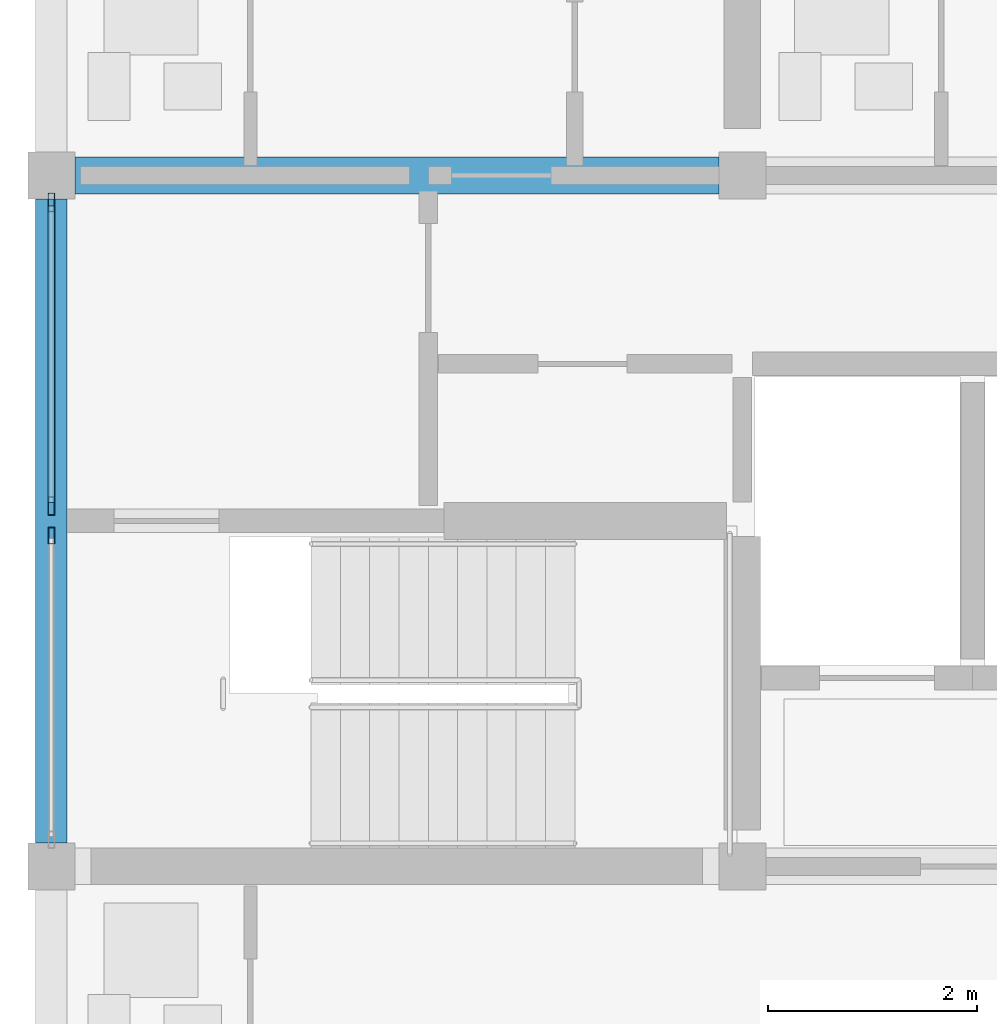
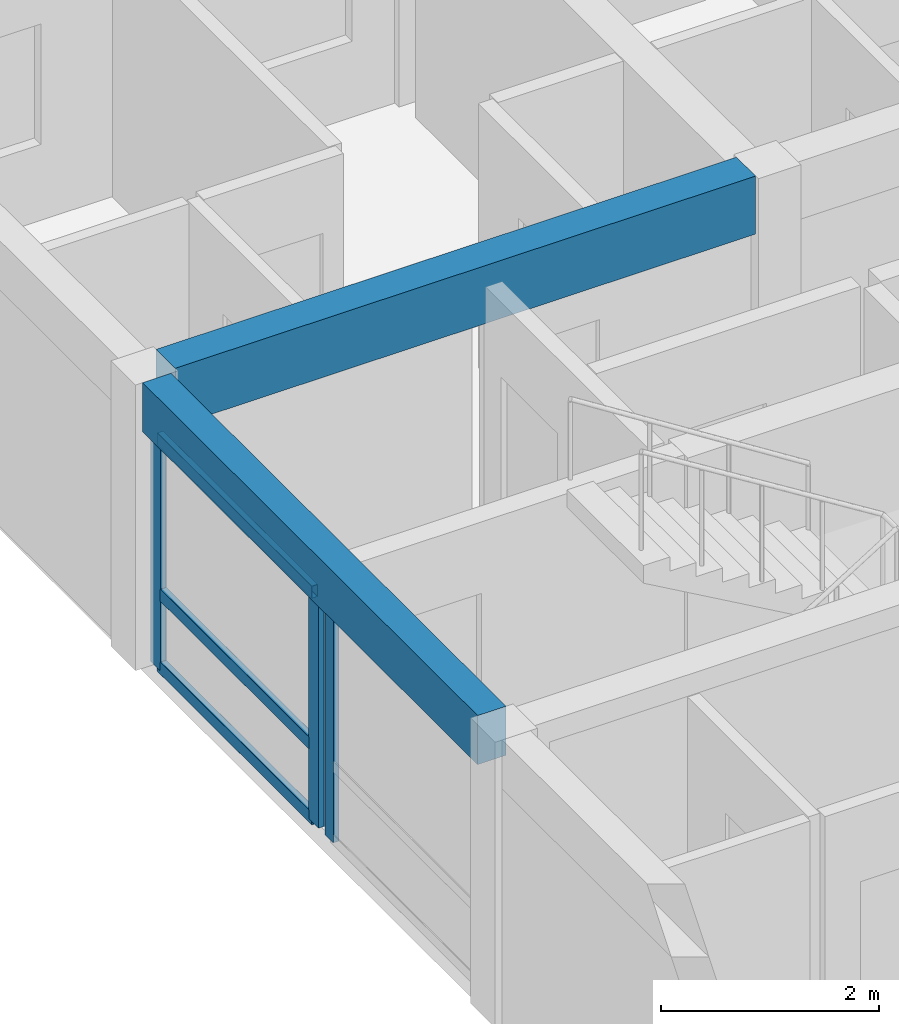
# One storey, part 5 of 51: 6 members, 2 beams, 2 elements without a shape of their own.
"""IFC4 building model written with IfcOpenShell, lengths in metres."""

from ifc_helpers import new_model, si_unit, direction, frame, origin, origin_2d, place, context, subcontext, project, spatial, rectangle, hollow_rectangle, extrude, material, material_profile, profile_set, type_object, element, aggregate, save


model = new_model("IFC4")

# Units and contexts
model_context = context("Model", 3, precision=1e-05, world=origin(), true_north=direction((0.0, 1.0)))
body_context = subcontext(model_context, "Body", "Model", "MODEL_VIEW")
ifc_project = project(units=[si_unit("LENGTHUNIT", "METRE"), si_unit("AREAUNIT", "SQUARE_METRE"), si_unit("VOLUMEUNIT", "CUBIC_METRE"), si_unit("PLANEANGLEUNIT", "RADIAN"), si_unit("MASSUNIT", "GRAM", prefix="KILO")], contexts=[model_context])

# Site, building, storey
site_placement = place(None, origin())
site = spatial("IfcSite", under=ifc_project, at=site_placement, CompositionType="ELEMENT")
building_placement = place(site_placement, origin())
building = spatial("IfcBuilding", under=site, at=building_placement, Name="Kernevlak Ridge Housing Community", CompositionType="ELEMENT")
storey_placement = place(building_placement, frame((0.0, 0.0, 8.39990234375)))
storey = spatial("IfcBuildingStorey", under=building, at=storey_placement, Name="L02", CompositionType="ELEMENT", Elevation=8.39990234375)

# Beam
ifc_material_1 = material(Name="Concrete C35/45", Category="concrete")
ifc_material_profile_1 = material_profile(ifc_material_1, rectangle(XDim=0.35009765625, YDim=0.64990234375, at=origin_2d()), Name="RC 350x650")
ifc_profile_set_1 = profile_set([ifc_material_profile_1], Name="Concrete C35/45")
beam_type_1 = type_object("IfcBeamType", Name="B-02", PredefinedType="BEAM", material=ifc_profile_set_1)
beam_1_placement = place(storey_placement, frame((15.824951171875, 28.800048828125, 2.875), z_axis=(1.0, 0.0, 0.0), x_axis=(0.0, 1.0, 0.0)))
element("IfcBeam", 1, at=beam_1_placement, inside=storey, type_object=beam_type_1, Name="Beam B-02 L02 1374", PredefinedType="BEAM", context=body_context, shape_type="SweptSolid", body=[
    extrude(rectangle(XDim=0.35009765625, YDim=0.64990234375, at=origin_2d()), origin(), (0.0, 0.0, 1.0), 6.150146484375),
])

# Curtain wall, member
ifc_material_2 = material(Name="Aluminium EN AW-6060 anodised and laminated glass", Category="aluminium")
curtain_wall_type_1 = type_object("IfcCurtainWallType", Name="CW-10", PredefinedType="NOTDEFINED", material=ifc_material_2)
curtain_wall_1_placement = place(storey_placement, origin())
curtain_wall_1 = element("IfcCurtainWall", 2, at=curtain_wall_1_placement, inside=storey, type_object=curtain_wall_type_1, Name="Curtain wall CW-10 CW-L02-145", PredefinedType="NOTDEFINED")
ifc_material_3 = material(Name="Aluminium EN AW-6060 anodised", Category="aluminium")
ifc_material_profile_2 = material_profile(ifc_material_3, hollow_rectangle(XDim=0.06005859375, YDim=0.159912109375, WallThickness=0.00390625, InnerFilletRadius=0.001953125, OuterFilletRadius=0.00390625, at=origin_2d()), Name="ALU 60x160x4")
ifc_profile_set_2 = profile_set([ifc_material_profile_2], Name="Aluminium EN AW-6060 anodised")
member_type_1 = type_object("IfcMemberType", Name="MU-02", PredefinedType="MULLION", material=ifc_profile_set_2)
member_1_placement = place(storey_placement, frame((15.60009765625, 25.360107421875, 0.0), z_axis=(0.0, 0.0, 1.0), x_axis=(-1.0, 0.0, 0.0)))
member_1 = element("IfcMember", 3, at=member_1_placement, type_object=member_type_1, Name="CW-10 mullion 2", PredefinedType="MULLION", context=body_context, shape_type="SweptSolid", body=[
    extrude(hollow_rectangle(XDim=0.06005859375, YDim=0.159912109375, WallThickness=0.00390625, InnerFilletRadius=0.001953125, OuterFilletRadius=0.00390625, at=origin_2d()), origin(), (0.0, 0.0, 1.0), 2.60009765625),
])
aggregate(curtain_wall_1, [member_1])

# Curtain wall, members
curtain_wall_type_2 = type_object("IfcCurtainWallType", Name="CW-01", PredefinedType="NOTDEFINED", material=ifc_material_2)
curtain_wall_2_placement = place(storey_placement, origin())
curtain_wall_2 = element("IfcCurtainWall", 4, at=curtain_wall_2_placement, inside=storey, type_object=curtain_wall_type_2, Name="Curtain wall CW-01 CW-L02-146", PredefinedType="NOTDEFINED")
ifc_material_profile_3 = material_profile(ifc_material_3, hollow_rectangle(XDim=0.06494140625, YDim=0.179931640625, WallThickness=0.00439453125, InnerFilletRadius=0.001953125, OuterFilletRadius=0.00439453125, at=origin_2d()), Name="ALU 65x180x4.5")
ifc_profile_set_3 = profile_set([ifc_material_profile_3], Name="Aluminium EN AW-6060 anodised")
member_type_2 = type_object("IfcMemberType", Name="MU-03", PredefinedType="MULLION", material=ifc_profile_set_3)
member_2_placement = place(storey_placement, frame((15.60009765625, 25.642578125, 0.0), z_axis=(0.0, 0.0, 1.0), x_axis=(-1.0, 0.0, 0.0)))
member_2 = element("IfcMember", 5, at=member_2_placement, type_object=member_type_2, Name="CW-01 mullion 1", PredefinedType="MULLION", context=body_context, shape_type="SweptSolid", body=[
    extrude(hollow_rectangle(XDim=0.06494140625, YDim=0.179931640625, WallThickness=0.00439453125, InnerFilletRadius=0.001953125, OuterFilletRadius=0.00439453125, at=origin_2d()), origin(), (0.0, 0.0, 1.0), 2.60009765625),
])
member_3_placement = place(storey_placement, frame((15.60009765625, 28.54248046875, 0.0), z_axis=(0.0, 0.0, 1.0), x_axis=(-1.0, 0.0, 0.0)))
member_3 = element("IfcMember", 6, at=member_3_placement, type_object=member_type_2, Name="CW-01 mullion 2", PredefinedType="MULLION", context=body_context, shape_type="SweptSolid", body=[
    extrude(hollow_rectangle(XDim=0.06494140625, YDim=0.179931640625, WallThickness=0.00439453125, InnerFilletRadius=0.001953125, OuterFilletRadius=0.00439453125, at=origin_2d()), origin(), (0.0, 0.0, 1.0), 2.60009765625),
])

# Beam
ifc_material_profile_4 = material_profile(ifc_material_1, rectangle(XDim=0.300048828125, YDim=0.550048828125, at=origin_2d()), Name="RC 300x550")
ifc_profile_set_4 = profile_set([ifc_material_profile_4], Name="Concrete C35/45")
beam_type_2 = type_object("IfcBeamType", Name="SP-01", PredefinedType="SPANDREL", material=ifc_profile_set_4)
beam_2_placement = place(storey_placement, frame((15.60009765625, 22.425048828125, 2.925048828125), z_axis=(0.0, 1.0, 0.0), x_axis=(-1.0, 0.0, 0.0)))
element("IfcBeam", 7, at=beam_2_placement, inside=storey, type_object=beam_type_2, Name="Beam SP-01 L02 1383", PredefinedType="SPANDREL", context=body_context, shape_type="SweptSolid", body=[
    extrude(rectangle(XDim=0.300048828125, YDim=0.550048828125, at=origin_2d()), origin(), (0.0, 0.0, 1.0), 6.14990234375),
])

# Member
ifc_material_profile_5 = material_profile(ifc_material_3, hollow_rectangle(XDim=0.06494140625, YDim=0.139892578125, WallThickness=0.00390625, InnerFilletRadius=0.001953125, OuterFilletRadius=0.00390625, at=origin_2d()), Name="ALU 65x140x4")
ifc_profile_set_5 = profile_set([ifc_material_profile_5], Name="Aluminium EN AW-6060 anodised")
member_type_3 = type_object("IfcMemberType", Name="TM-03", PredefinedType="USERDEFINED", material=ifc_profile_set_5)
member_4_placement = place(storey_placement, frame((15.60009765625, 25.675048828125, 0.03271484375), z_axis=(0.0, 1.0, 0.0), x_axis=(-1.0, 0.0, 0.0)))
member_4 = element("IfcMember", 8, at=member_4_placement, type_object=member_type_3, Name="CW-01 transom 1.1", ObjectType="TRANSOM", PredefinedType="USERDEFINED", context=body_context, shape_type="SweptSolid", body=[
    extrude(hollow_rectangle(XDim=0.06494140625, YDim=0.139892578125, WallThickness=0.00390625, InnerFilletRadius=0.001953125, OuterFilletRadius=0.00390625, at=origin_2d()), origin(), (0.0, 0.0, 1.0), 2.8349609375),
])

member_5_placement = place(storey_placement, frame((15.60009765625, 25.675048828125, 0.85009765625), z_axis=(0.0, 1.0, 0.0), x_axis=(-1.0, 0.0, 0.0)))
member_5 = element("IfcMember", 9, at=member_5_placement, type_object=member_type_3, Name="CW-01 transom 1.2", ObjectType="TRANSOM", PredefinedType="USERDEFINED", context=body_context, shape_type="SweptSolid", body=[
    extrude(hollow_rectangle(XDim=0.06494140625, YDim=0.139892578125, WallThickness=0.00390625, InnerFilletRadius=0.001953125, OuterFilletRadius=0.00390625, at=origin_2d()), origin(), (0.0, 0.0, 1.0), 2.8349609375),
])

member_6_placement = place(storey_placement, frame((15.60009765625, 25.675048828125, 2.567626953125), z_axis=(0.0, 1.0, 0.0), x_axis=(-1.0, 0.0, 0.0)))
member_6 = element("IfcMember", 10, at=member_6_placement, type_object=member_type_3, Name="CW-01 transom 1.3", ObjectType="TRANSOM", PredefinedType="USERDEFINED", context=body_context, shape_type="SweptSolid", body=[
    extrude(hollow_rectangle(XDim=0.06494140625, YDim=0.139892578125, WallThickness=0.00390625, InnerFilletRadius=0.001953125, OuterFilletRadius=0.00390625, at=origin_2d()), origin(), (0.0, 0.0, 1.0), 2.8349609375),
])

aggregate(curtain_wall_2, [member_2, member_3, member_4, member_5, member_6])

save(model, "model.ifc")
